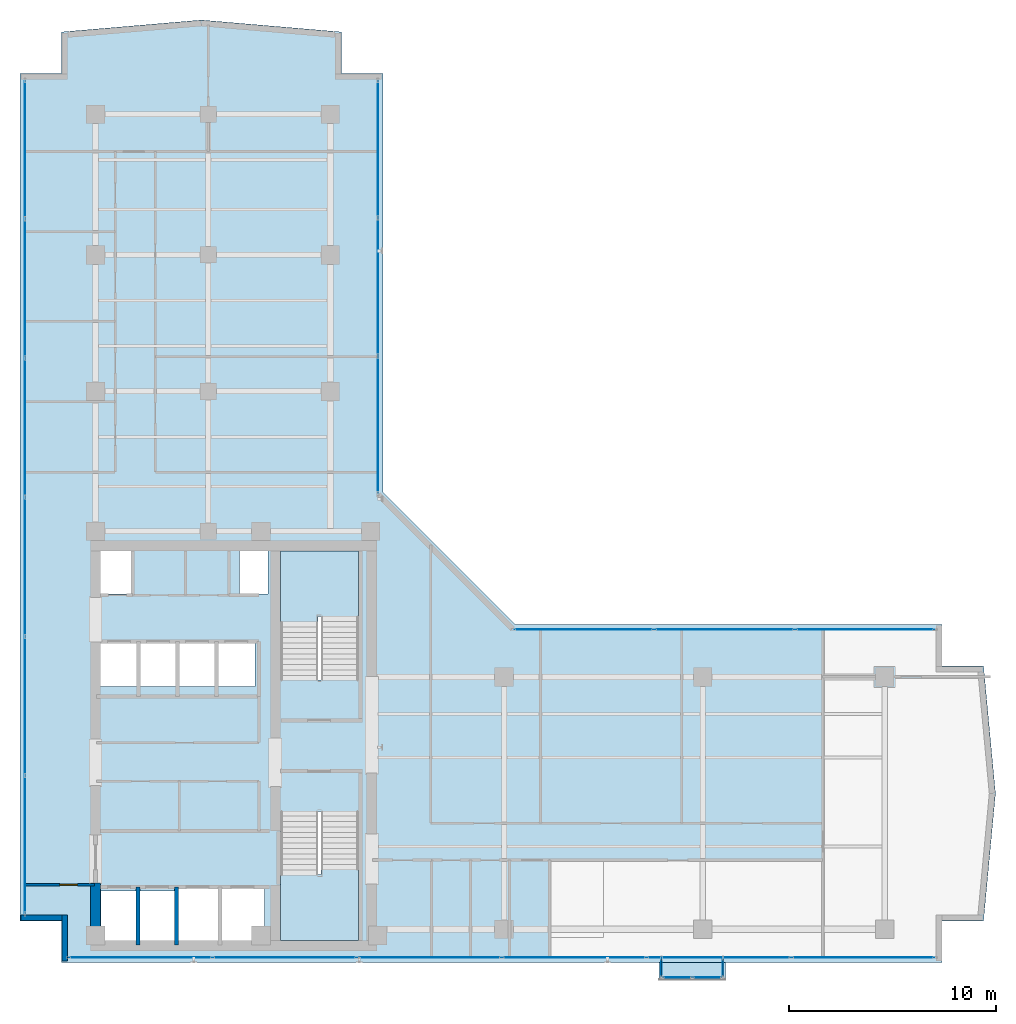
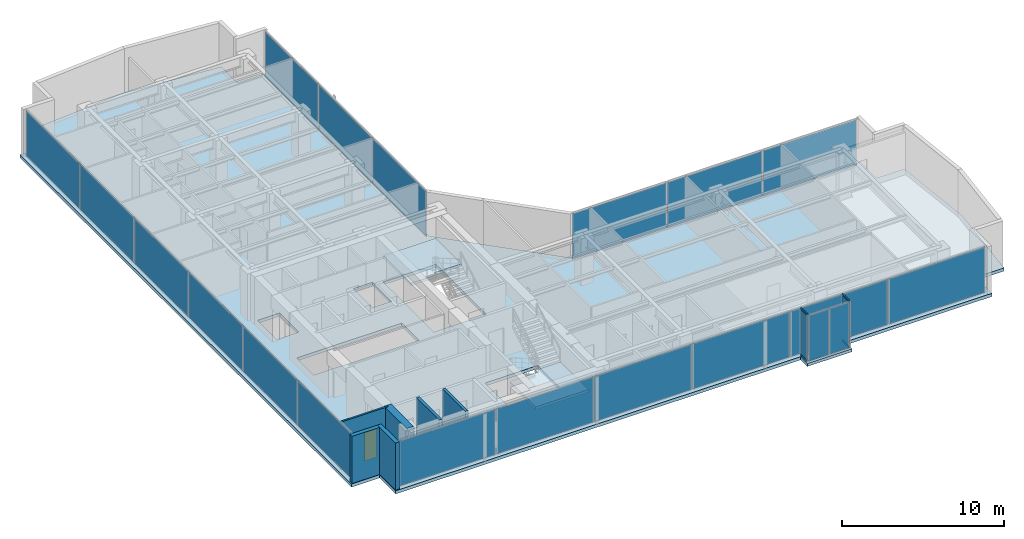
# One storey, part 16 of 24: 22 plates, 6 walls, 4 members, 4 slabs, 1 door, 1 opening, 9 elements without a shape of their own.
"""IFC4 building model written with IfcOpenShell, lengths in metres."""

import ifcopenshell
import ifcopenshell.guid

model = None  # the IFC model being written
_history = None  # IfcOwnerHistory: only IFC2X3 demands one
_inside = {}  # id of a spatial element -> (the spatial element, [elements in it])
_under = {}  # id of a project, library or spatial element -> (it, [spatial elements below it])
_declared = {}  # id of a project -> (the project, [libraries it declares])
_typed = {}  # id of a type object -> (the type object, [elements of that type])
_made_of = {}  # id of a material, layer set ... -> (it, [elements and type objects made of it])


def new_model(schema):
    """Start an empty IFC model of exactly this schema.

    Asked for "IFC4X3", IfcOpenShell would pick the latest addendum, in which some entities
    have other attributes; the version numbers below select the first issue.
    IFC2X3 requires an IfcOwnerHistory on every rooted entity: one is made here for all.
    """
    global model, _history
    if schema == "IFC4X3":
        model = ifcopenshell.file(schema_version=(4, 3, 0, 0))
    else:
        model = ifcopenshell.file(schema=schema)
    _inside.clear()
    _under.clear()
    _declared.clear()
    _typed.clear()
    _made_of.clear()
    _history = None
    if model.schema == "IFC2X3":
        org = make("IfcOrganization", Name="unknown")
        user = make(
            "IfcPersonAndOrganization",
            ThePerson=make("IfcPerson", FamilyName="unknown"),
            TheOrganization=org,
        )
        app = make(
            "IfcApplication",
            ApplicationDeveloper=org,
            Version="unknown",
            ApplicationFullName="unknown",
            ApplicationIdentifier="unknown",
        )
        _history = make(
            "IfcOwnerHistory",
            OwningUser=user,
            OwningApplication=app,
            ChangeAction="ADDED",
            CreationDate=0,
        )
    return model


def make(cls, **values):
    """One entity of the class cls with the attributes given. An attribute that is None is left unset."""
    return model.create_entity(
        cls, **{name: value for name, value in values.items() if value is not None}
    )


def rooted(cls, **values):
    """An entity with a GlobalId (a new one), such as an element, a storey or a relation."""
    return make(cls, GlobalId=ifcopenshell.guid.new(), OwnerHistory=_history, **values)


def si_unit(unit_type, name, prefix=None):
    """IfcSIUnit, for example si_unit("LENGTHUNIT", "METRE", prefix="MILLI")."""
    return make("IfcSIUnit", UnitType=unit_type, Prefix=prefix, Name=name)


def assignment(units):
    """IfcUnitAssignment: the units of a project."""
    return None if units is None else make("IfcUnitAssignment", Units=units)


def point(xyz):
    """IfcCartesianPoint."""
    return None if xyz is None else make("IfcCartesianPoint", Coordinates=xyz)


def direction(xyz):
    """IfcDirection."""
    return None if xyz is None else make("IfcDirection", DirectionRatios=xyz)


def frame(location, z_axis=None, x_axis=None):
    """IfcAxis2Placement3D, a coordinate frame: its origin and axes. An axis left out is left unset."""
    return make(
        "IfcAxis2Placement3D",
        Location=point(location),
        Axis=direction(z_axis),
        RefDirection=direction(x_axis),
    )


def frame_2d(location, x_axis=None):
    """IfcAxis2Placement2D, a coordinate frame in the plane: its origin and x axis."""
    return make(
        "IfcAxis2Placement2D", Location=point(location), RefDirection=direction(x_axis)
    )


def origin():
    """The frame at (0, 0, 0) with its axes left unset."""
    return frame((0.0, 0.0, 0.0))


def origin_with_axes():
    """The frame at (0, 0, 0) with the z axis (0, 0, 1) and the x axis (1, 0, 0) written out."""
    return frame((0.0, 0.0, 0.0), z_axis=(0.0, 0.0, 1.0), x_axis=(1.0, 0.0, 0.0))


def origin_2d():
    """The frame at (0, 0) in the plane with its x axis left unset."""
    return frame_2d((0.0, 0.0))


def place(relative_to, where):
    """IfcLocalPlacement: puts the frame where relative to a parent placement (None: the world)."""
    return make(
        "IfcLocalPlacement", PlacementRelTo=relative_to, RelativePlacement=where
    )


def context(
    kind, dimensions, precision=None, world=None, true_north=None, identifier=None
):
    """IfcGeometricRepresentationContext, for example the 3D "Model" context."""
    return make(
        "IfcGeometricRepresentationContext",
        ContextIdentifier=identifier,
        ContextType=kind,
        CoordinateSpaceDimension=dimensions,
        Precision=precision,
        WorldCoordinateSystem=world,
        TrueNorth=true_north,
    )


def subcontext(parent, identifier, kind, view, scale=None):
    """IfcGeometricRepresentationSubContext, for example "Body" below "Model"."""
    return make(
        "IfcGeometricRepresentationSubContext",
        ContextIdentifier=identifier,
        ContextType=kind,
        ParentContext=parent,
        TargetScale=scale,
        TargetView=view,
    )


def project(units=None, contexts=None):
    """IfcProject with its units and contexts."""
    return rooted(
        "IfcProject",
        Name="project",
        RepresentationContexts=contexts,
        UnitsInContext=assignment(units),
    )


def spatial(cls, under=None, at=None, **own):
    """A site, building, storey or space (cls), placed at a placement, below another one or the project."""
    s = rooted(cls, ObjectPlacement=at, **own)
    if under is not None:
        _under.setdefault(under.id(), (under, []))[1].append(s)
    return s


def polyline(points):
    """IfcPolyline through the points."""
    return make("IfcPolyline", Points=[point(p) for p in points])


def profile(cls, at=None, kind="AREA", **sizes):
    """A parametric profile (cls). Its sizes go by their IFC names, for example OverallWidth=200.0."""
    return make(cls, ProfileType=kind, Position=at, **sizes)


def rectangle(**sizes):
    """IfcRectangleProfileDef."""
    return profile("IfcRectangleProfileDef", **sizes)


def hollow_rectangle(**sizes):
    """IfcRectangleHollowProfileDef."""
    return profile("IfcRectangleHollowProfileDef", **sizes)


def outline(outer, holes=None, kind="AREA"):
    """IfcArbitraryClosedProfileDef: a profile drawn as a closed curve; with holes, ...WithVoids."""
    if holes is None:
        return make("IfcArbitraryClosedProfileDef", ProfileType=kind, OuterCurve=outer)
    return make(
        "IfcArbitraryProfileDefWithVoids",
        ProfileType=kind,
        OuterCurve=outer,
        InnerCurves=holes,
    )


def extrude(swept, where, along, depth):
    """IfcExtrudedAreaSolid: the profile swept, set in the frame where, extruded along a direction by depth."""
    return make(
        "IfcExtrudedAreaSolid",
        SweptArea=swept,
        Position=where,
        ExtrudedDirection=direction(along),
        Depth=depth,
    )


def shape(context_of_items, identifier, shape_type, items):
    """IfcShapeRepresentation: the items that make up one representation, for example the "Body"."""
    return make(
        "IfcShapeRepresentation",
        ContextOfItems=context_of_items,
        RepresentationIdentifier=identifier,
        RepresentationType=shape_type,
        Items=items,
    )


def source(mapping_origin, context_of_items, identifier, shape_type, items):
    """IfcRepresentationMap: a shape defined once, which mapped items show again and again."""
    return make(
        "IfcRepresentationMap",
        MappingOrigin=mapping_origin,
        MappedRepresentation=shape(context_of_items, identifier, shape_type, items),
    )


def transform(
    local_origin,
    x_axis=None,
    y_axis=None,
    z_axis=None,
    scale=None,
    scale2=None,
    scale3=None,
    uniform=True,
):
    """IfcCartesianTransformationOperator3D, or its non-uniform kind. x_axis, y_axis, z_axis: its Axis1, 2, 3."""
    if uniform:
        return make(
            "IfcCartesianTransformationOperator3D",
            Axis1=direction(x_axis),
            Axis2=direction(y_axis),
            LocalOrigin=point(local_origin),
            Scale=scale,
            Axis3=direction(z_axis),
        )
    return make(
        "IfcCartesianTransformationOperator3DnonUniform",
        Axis1=direction(x_axis),
        Axis2=direction(y_axis),
        LocalOrigin=point(local_origin),
        Scale=scale,
        Axis3=direction(z_axis),
        Scale2=scale2,
        Scale3=scale3,
    )


def mapped(mapping_source, mapping_target):
    """IfcMappedItem: shows the shape of a source again, moved by a transform."""
    return make(
        "IfcMappedItem", MappingSource=mapping_source, MappingTarget=mapping_target
    )


def material(Name=None, Category=None):
    """IfcMaterial."""
    return make("IfcMaterial", Name=Name, Category=Category)


def layer(
    of_material, thickness, ventilated=None, Name=None, Category=None, Priority=None
):
    """IfcMaterialLayer: one layer of a wall or slab, of a material (None: an air gap)."""
    return make(
        "IfcMaterialLayer",
        Material=of_material,
        LayerThickness=thickness,
        IsVentilated=ventilated,
        Name=Name,
        Category=Category,
        Priority=Priority,
    )


def layer_set(layers, Name=None):
    """IfcMaterialLayerSet."""
    return make("IfcMaterialLayerSet", MaterialLayers=layers, LayerSetName=Name)


def material_profile(
    of_material, cross_section, Name=None, Category=None, Priority=None
):
    """IfcMaterialProfile: a cross section and its material."""
    return make(
        "IfcMaterialProfile",
        Name=Name,
        Material=of_material,
        Profile=cross_section,
        Priority=Priority,
        Category=Category,
    )


def profile_set(profiles, Name=None, composite=None):
    """IfcMaterialProfileSet."""
    return make(
        "IfcMaterialProfileSet",
        Name=Name,
        MaterialProfiles=profiles,
        CompositeProfile=composite,
    )


def made_of(thing, what):
    """Note that an element or type object is made of a material, layer set ...; save() writes the relation."""
    if what is not None:
        _made_of.setdefault(what.id(), (what, []))[1].append(thing)
    return thing


def type_object(cls, material=None, **own):
    """A type object (cls), such as IfcWallType, which elements share."""
    return made_of(rooted(cls, **own), material)


def element(
    cls,
    number,
    at=None,
    inside=None,
    cuts=None,
    type_object=None,
    material=None,
    context=None,
    identifier="Body",
    shape_type=None,
    held_by="IfcProductDefinitionShape",
    body=None,
    shapes=None,
    **own,
):
    """One element of the class cls, such as IfcWall. Its Tag is "e" and its number.

    at: its placement. inside: the storey or other place that contains it. cuts: it is an
    opening in that element (IfcRelVoidsElement). A single representation is given by context,
    identifier, shape_type and body (its items); several are given by shapes. held_by: the class
    of the entity that holds the representations. save() writes the other relations.
    """
    e = rooted(cls, Tag="e%d" % number, ObjectPlacement=at, **own)
    if body is not None:
        shapes = [shape(context, identifier, shape_type, body)]
    if shapes is not None:
        e.Representation = make(held_by, Representations=shapes)
    if inside is not None:
        _inside.setdefault(inside.id(), (inside, []))[1].append(e)
    if cuts is not None:
        rooted(
            "IfcRelVoidsElement", RelatingBuildingElement=cuts, RelatedOpeningElement=e
        )
    if type_object is not None:
        _typed.setdefault(type_object.id(), (type_object, []))[1].append(e)
    return made_of(e, material)


def fill(opening, filler):
    """IfcRelFillsElement: the door or window that sits in an opening."""
    return rooted(
        "IfcRelFillsElement",
        RelatingOpeningElement=opening,
        RelatedBuildingElement=filler,
    )


def aggregate(whole, parts):
    """IfcRelAggregates: a whole, such as a stair, and the parts it consists of."""
    return rooted("IfcRelAggregates", RelatingObject=whole, RelatedObjects=parts)


def save(model, path):
    """Write the relations noted so far, then the file.

    IfcRelAggregates (storeys below a building ...), IfcRelContainedInSpatialStructure (elements
    in a storey), IfcRelDefinesByType, IfcRelAssociatesMaterial and IfcRelDeclares: one each for
    every whole, place, type object, material and project.
    """
    for whole, parts in _under.values():
        aggregate(whole, parts)
    for where, things in _inside.values():
        rooted(
            "IfcRelContainedInSpatialStructure",
            RelatedElements=things,
            RelatingStructure=where,
        )
    for kind, things in _typed.values():
        rooted("IfcRelDefinesByType", RelatedObjects=things, RelatingType=kind)
    for what, things in _made_of.values():
        rooted("IfcRelAssociatesMaterial", RelatedObjects=things, RelatingMaterial=what)
    for by, libraries in _declared.values():
        rooted("IfcRelDeclares", RelatingContext=by, RelatedDefinitions=libraries)
    model.write(path)


model = new_model("IFC4")

# Units and contexts
model_context = context("Model", 3, precision=1e-05, world=origin(), true_north=direction((0.0, 1.0)))
body_context = subcontext(model_context, "Body", "Model", "MODEL_VIEW")
ifc_project = project(units=[si_unit("LENGTHUNIT", "METRE"), si_unit("AREAUNIT", "SQUARE_METRE"), si_unit("VOLUMEUNIT", "CUBIC_METRE"), si_unit("PLANEANGLEUNIT", "RADIAN"), si_unit("MASSUNIT", "GRAM", prefix="KILO")], contexts=[model_context])

# Site, building, storey
site_placement = place(None, origin())
site = spatial("IfcSite", under=ifc_project, at=site_placement, CompositionType="ELEMENT")
building_placement = place(site_placement, origin())
building = spatial("IfcBuilding", under=site, at=building_placement, Name="Kolvaren Waterfront Exchange", CompositionType="ELEMENT")
storey_placement = place(building_placement, frame((0.0, 0.0, 285.60009765625)))
storey = spatial("IfcBuildingStorey", under=building, at=storey_placement, Name="L73", CompositionType="ELEMENT", Elevation=285.60009765625)

# Curtain wall, members
ifc_material_1 = material(Name="Anodised bronze aluminium 6063-T6", Category="aluminium")
ifc_layer_1 = layer(ifc_material_1, 0.219970703125, Name="Anodised bronze aluminium 6063-T6")
ifc_layer_set_1 = layer_set([ifc_layer_1], Name="Anodised bronze aluminium 6063-T6")
curtain_wall_type_1 = type_object("IfcCurtainWallType", Name="ARC-CW-SYS3", PredefinedType="USERDEFINED", material=ifc_layer_set_1)
curtain_wall_1_placement = place(storey_placement, origin())
curtain_wall_1 = element("IfcCurtainWall", 1, at=curtain_wall_1_placement, inside=storey, type_object=curtain_wall_type_1, Name="L73 stick curtain wall CW3 (CW-L73-BOX-W)", ObjectType="STICK CURTAIN WALL", PredefinedType="USERDEFINED")
ifc_material_profile = material_profile(ifc_material_1, hollow_rectangle(XDim=0.06494140625, YDim=0.1298828125, WallThickness=0.00390625, at=origin_2d()), Name="ALU-TRN-130x65x4")
ifc_profile_set = profile_set([ifc_material_profile], Name="Anodised bronze aluminium 6063-T6")
member_type = type_object("IfcMemberType", Name="ARC-CWT-130", PredefinedType="USERDEFINED", material=ifc_profile_set)
shared_shape_1 = source(origin_with_axes(), body_context, "Body", "SweptSolid", [
    extrude(hollow_rectangle(XDim=0.06494140625, YDim=0.1298828125, WallThickness=0.00390625, at=origin_2d()), origin(), (0.0, 0.0, 1.0), 0.829833984375),
])
member_1_placement = place(storey_placement, frame((34.81005859375, 3.764892578125, 0.032470703125), z_axis=(0.0, -1.0, 0.0), x_axis=(1.0, 0.0, 0.0)))
member_1 = element("IfcMember", 2, at=member_1_placement, type_object=member_type, Name="CW3 transom 1.1", ObjectType="TRANSOM", PredefinedType="USERDEFINED", context=body_context, shape_type="MappedRepresentation", body=[
    mapped(shared_shape_1, transform((0.0, 0.0, 0.0), x_axis=(1.0, 0.0, 0.0), y_axis=(0.0, 1.0, 0.0), z_axis=(0.0, 0.0, 1.0), scale=1.0)),
])
member_2_placement = place(storey_placement, frame((34.81005859375, 3.764892578125, 3.52734375), z_axis=(0.0, -1.0, 0.0), x_axis=(1.0, 0.0, 0.0)))
member_2 = element("IfcMember", 3, at=member_2_placement, type_object=member_type, Name="CW3 transom 1.2", ObjectType="TRANSOM", PredefinedType="USERDEFINED", context=body_context, shape_type="MappedRepresentation", body=[
    mapped(shared_shape_1, transform((0.0, 0.0, 0.0), x_axis=(1.0, 0.0, 0.0), y_axis=(0.0, 1.0, 0.0), z_axis=(0.0, 0.0, 1.0), scale=1.0)),
])

curtain_wall_2_placement = place(storey_placement, origin())
curtain_wall_2 = element("IfcCurtainWall", 4, at=curtain_wall_2_placement, inside=storey, type_object=curtain_wall_type_1, Name="L73 stick curtain wall CW3 (CW-L73-BOX-E)", ObjectType="STICK CURTAIN WALL", PredefinedType="USERDEFINED")
member_3_placement = place(storey_placement, frame((37.7900390625, 2.93505859375, 0.032470703125), z_axis=(0.0, 1.0, 0.0), x_axis=(-1.0, 0.0, 0.0)))
member_3 = element("IfcMember", 5, at=member_3_placement, type_object=member_type, Name="CW3 transom 1.1", ObjectType="TRANSOM", PredefinedType="USERDEFINED", context=body_context, shape_type="MappedRepresentation", body=[
    mapped(shared_shape_1, transform((0.0, 0.0, 0.0), x_axis=(1.0, 0.0, 0.0), y_axis=(0.0, 1.0, 0.0), z_axis=(0.0, 0.0, 1.0), scale=1.0)),
])
member_4_placement = place(storey_placement, frame((37.7900390625, 2.93505859375, 3.52734375), z_axis=(0.0, 1.0, 0.0), x_axis=(-1.0, 0.0, 0.0)))
member_4 = element("IfcMember", 6, at=member_4_placement, type_object=member_type, Name="CW3 transom 1.2", ObjectType="TRANSOM", PredefinedType="USERDEFINED", context=body_context, shape_type="MappedRepresentation", body=[
    mapped(shared_shape_1, transform((0.0, 0.0, 0.0), x_axis=(1.0, 0.0, 0.0), y_axis=(0.0, 1.0, 0.0), z_axis=(0.0, 0.0, 1.0), scale=1.0)),
])

# Stair, slab
ifc_material_2 = material(Name="Concrete C40/50", Category="concrete")
stair_type = type_object("IfcStairType", Name="ARC-STAIR-3800", PredefinedType="HALF_TURN_STAIR", material=ifc_material_2)
stair_1_placement = place(storey_placement, origin())
stair_1 = element("IfcStair", 7, at=stair_1_placement, inside=storey, type_object=stair_type, Name="L73 Smoke-proof exit stair ST1", PredefinedType="HALF_TURN_STAIR")
ifc_layer_2 = layer(ifc_material_2, 0.199951171875, Name="Concrete C40/50")
ifc_layer_set_2 = layer_set([ifc_layer_2], Name="Concrete C40/50")
slab_type_1 = type_object("IfcSlabType", Name="STR-LANDING-200", PredefinedType="LANDING", material=ifc_layer_set_2)
slab_1_placement = place(storey_placement, frame((0.0, 0.0, 1.77587890625)))
slab_1 = element("IfcSlab", 8, at=slab_1_placement, type_object=slab_type_1, Name="ST1 landing 1", PredefinedType="LANDING", context=body_context, shape_type="SweptSolid", body=[
    extrude(outline(polyline([(16.39990234375, 7.840087890625), (16.39990234375, 4.64990234375), (20.159912109375, 4.64990234375), (20.159912109375, 8.10009765625), (18.360107421875, 8.10009765625), (18.360107421875, 7.840087890625), (16.39990234375, 7.840087890625)])), origin(), (0.0, 0.0, 1.0), 0.199951171875),
])
aggregate(stair_1, [slab_1])

stair_2_placement = place(storey_placement, origin())
stair_2 = element("IfcStair", 9, at=stair_2_placement, inside=storey, type_object=stair_type, Name="L73 Smoke-proof exit stair ST2", PredefinedType="HALF_TURN_STAIR")
slab_2_placement = place(storey_placement, frame((0.0, 0.0, 1.77587890625)))
slab_2 = element("IfcSlab", 10, at=slab_2_placement, type_object=slab_type_1, Name="ST2 landing 1", PredefinedType="LANDING", context=body_context, shape_type="SweptSolid", body=[
    extrude(outline(polyline([(20.159912109375, 20.31005859375), (20.159912109375, 23.5), (16.39990234375, 23.5), (16.39990234375, 20.050048828125), (18.199951171875, 20.050048828125), (18.199951171875, 20.31005859375), (20.159912109375, 20.31005859375)])), origin(), (0.0, 0.0, 1.0), 0.199951171875),
])
aggregate(stair_2, [slab_2])

# Slabs
ifc_layer_3 = layer(ifc_material_2, 0.239990234375, Name="Concrete C40/50")
ifc_layer_set_3 = layer_set([ifc_layer_3], Name="Concrete C40/50")
slab_type_2 = type_object("IfcSlabType", Name="STR-SLAB-240", PredefinedType="FLOOR", material=ifc_layer_set_3)
slab_3_placement = place(storey_placement, frame((0.0, 0.0, -0.239990234375)))
element("IfcSlab", 11, at=slab_3_placement, inside=storey, type_object=slab_type_2, Name="L73 structural floor slab", PredefinedType="FLOOR", context=body_context, shape_type="SweptSolid", body=[
    extrude(outline(polyline([(5.800048828125, 3.60009765625), (48.37890625, 3.60009765625), (48.37890625, 5.60009765625), (50.37890625, 5.60009765625), (50.957763671875, 11.768310546875), (50.37890625, 17.936767578125), (48.37890625, 17.936767578125), (48.37890625, 19.936767578125), (27.73681640625, 19.936767578125), (21.3369140625, 26.3369140625), (21.3369140625, 46.578857421875), (19.3369140625, 46.578857421875), (19.3369140625, 48.578857421875), (12.568359375, 49.15771484375), (5.800048828125, 48.578857421875), (5.800048828125, 46.578857421875), (3.800048828125, 46.578857421875), (3.800048828125, 5.60009765625), (5.800048828125, 5.60009765625), (5.800048828125, 3.60009765625)]), holes=[polyline([(11.320068359375, 7.260009765625), (15.610107421875, 7.260009765625), (15.610107421875, 4.5400390625), (7.719970703125, 4.5400390625), (7.719970703125, 7.06005859375), (11.320068359375, 7.06005859375), (11.320068359375, 7.260009765625)]), polyline([(20.159912109375, 10.89990234375), (20.159912109375, 4.64990234375), (16.39990234375, 4.64990234375), (16.39990234375, 10.89990234375), (20.159912109375, 10.89990234375)]), polyline([(7.669921875, 19.06005859375), (15.159912109375, 19.06005859375), (15.159912109375, 16.93994140625), (7.669921875, 16.93994140625), (7.669921875, 19.06005859375)]), polyline([(16.39990234375, 17.25), (16.39990234375, 23.5), (20.159912109375, 23.5), (20.159912109375, 17.25), (16.39990234375, 17.25)]), polyline([(7.60009765625, 23.780029296875), (9.179931640625, 23.780029296875), (9.179931640625, 21.419921875), (7.60009765625, 21.419921875), (7.60009765625, 23.780029296875)]), polyline([(14.419921875, 23.780029296875), (15.800048828125, 23.780029296875), (15.800048828125, 21.419921875), (14.419921875, 21.419921875), (14.419921875, 23.780029296875)])]), origin(), (0.0, 0.0, 1.0), 0.239990234375),
])
ifc_layer_4 = layer(ifc_material_2, 0.219970703125, Name="Concrete C40/50")
ifc_layer_set_4 = layer_set([ifc_layer_4], Name="Concrete C40/50")
slab_type_3 = type_object("IfcSlabType", Name="STR-TERR-220", PredefinedType="FLOOR", material=ifc_layer_set_4)
slab_4_placement = place(storey_placement, frame((0.0, 0.0, -0.22021484375)))
element("IfcSlab", 12, at=slab_4_placement, inside=storey, type_object=slab_type_3, Name="L73 projecting bay-box floor strip", PredefinedType="FLOOR", context=body_context, shape_type="SweptSolid", body=[
    extrude(outline(polyline([(34.699951171875, 2.75), (37.89990234375, 2.75), (37.89990234375, 3.60009765625), (34.699951171875, 3.60009765625), (34.699951171875, 2.75)])), origin(), (0.0, 0.0, 1.0), 0.22021484375),
])

# Plate
ifc_material_3 = material(Name="Bronze tinted bay-box vision glass", Category="aluminium")
ifc_layer_5 = layer(ifc_material_3, 0.02392578125, Name="Bronze tinted bay-box vision glass")
ifc_layer_set_5 = layer_set([ifc_layer_5], Name="Bronze tinted bay-box vision glass")
plate_type_1 = type_object("IfcPlateType", Name="ARC-CWP-24", PredefinedType="CURTAIN_PANEL", material=ifc_layer_set_5)
shared_shape_2 = source(origin_with_axes(), body_context, "Body", "SweptSolid", [
    extrude(rectangle(XDim=0.830078125, YDim=0.02392578125, at=origin_2d()), origin(), (0.0, 0.0, 1.0), 3.429931640625),
])
plate_1_placement = place(storey_placement, frame((34.81005859375, 3.35009765625, 0.06494140625), z_axis=(0.0, 0.0, 1.0), x_axis=(0.0, -1.0, 0.0)))
plate_1 = element("IfcPlate", 13, at=plate_1_placement, type_object=plate_type_1, Name="CW3 panel 1.1", PredefinedType="CURTAIN_PANEL", context=body_context, shape_type="MappedRepresentation", body=[
    mapped(shared_shape_2, transform((0.0, 0.0, 0.0), x_axis=(1.0, 0.0, 0.0), y_axis=(0.0, 1.0, 0.0), z_axis=(0.0, 0.0, 1.0), scale=1.0)),
])

aggregate(curtain_wall_1, [member_1, member_2, plate_1])

plate_2_placement = place(storey_placement, frame((37.7900390625, 3.35009765625, 0.06494140625), z_axis=(0.0, 0.0, 1.0), x_axis=(0.0, 1.0, 0.0)))
plate_2 = element("IfcPlate", 14, at=plate_2_placement, type_object=plate_type_1, Name="CW3 panel 1.1", PredefinedType="CURTAIN_PANEL", context=body_context, shape_type="MappedRepresentation", body=[
    mapped(shared_shape_2, transform((0.0, 0.0, 0.0), x_axis=(1.0, 0.0, 0.0), y_axis=(0.0, 1.0, 0.0), z_axis=(0.0, 0.0, 1.0), scale=1.0)),
])

aggregate(curtain_wall_2, [member_3, member_4, plate_2])

# Curtain wall, plates
curtain_wall_3_placement = place(storey_placement, origin())
curtain_wall_3 = element("IfcCurtainWall", 15, at=curtain_wall_3_placement, inside=storey, type_object=curtain_wall_type_1, Name="L73 stick curtain wall CW3 (CW-L73-BOX)", ObjectType="STICK CURTAIN WALL", PredefinedType="USERDEFINED")
shared_shape_3 = source(origin_with_axes(), body_context, "Body", "SweptSolid", [
    extrude(rectangle(XDim=1.37744140625, YDim=0.02392578125, at=origin_2d()), origin(), (0.0, 0.0, 1.0), 3.429931640625),
])
plate_3_placement = place(storey_placement, frame((35.57373046875, 2.860107421875, 0.06494140625), z_axis=(0.0, 0.0, 1.0), x_axis=(1.0, 0.0, 0.0)))
plate_3 = element("IfcPlate", 16, at=plate_3_placement, type_object=plate_type_1, Name="CW3 panel 1.1", PredefinedType="CURTAIN_PANEL", context=body_context, shape_type="MappedRepresentation", body=[
    mapped(shared_shape_3, transform((0.0, 0.0, 0.0), x_axis=(1.0, 0.0, 0.0), y_axis=(0.0, 1.0, 0.0), z_axis=(0.0, 0.0, 1.0), scale=1.0)),
])
plate_4_placement = place(storey_placement, frame((37.0263671875, 2.860107421875, 0.06494140625), z_axis=(0.0, 0.0, 1.0), x_axis=(1.0, 0.0, 0.0)))
plate_4 = element("IfcPlate", 17, at=plate_4_placement, type_object=plate_type_1, Name="CW3 panel 2.1", PredefinedType="CURTAIN_PANEL", context=body_context, shape_type="MappedRepresentation", body=[
    mapped(shared_shape_3, transform((0.0, 0.0, 0.0), x_axis=(1.0, 0.0, 0.0), y_axis=(0.0, 1.0, 0.0), z_axis=(0.0, 0.0, 1.0), scale=1.0)),
])
aggregate(curtain_wall_3, [plate_3, plate_4])

ifc_layer_6 = layer(ifc_material_1, 0.219970703125, Name="Anodised bronze aluminium 6063-T6")
ifc_layer_set_6 = layer_set([ifc_layer_6], Name="Anodised bronze aluminium 6063-T6")
curtain_wall_type_2 = type_object("IfcCurtainWallType", Name="ARC-CW-SYS1", PredefinedType="USERDEFINED", material=ifc_layer_set_6)
curtain_wall_4_placement = place(storey_placement, origin())
curtain_wall_4 = element("IfcCurtainWall", 18, at=curtain_wall_4_placement, inside=storey, type_object=curtain_wall_type_2, Name="L73 stick curtain wall CW1 (CW-L73-S)", ObjectType="STICK CURTAIN WALL", PredefinedType="USERDEFINED")
ifc_material_4 = material(Name="Bronze solar control vision glass", Category="aluminium")
ifc_layer_7 = layer(ifc_material_4, 0.028076171875, Name="Bronze solar control vision glass")
ifc_layer_set_7 = layer_set([ifc_layer_7], Name="Bronze solar control vision glass")
plate_type_2 = type_object("IfcPlateType", Name="ARC-CWP-28", PredefinedType="CURTAIN_PANEL", material=ifc_layer_set_7)
shared_shape_4 = source(origin_with_axes(), body_context, "Body", "SweptSolid", [
    extrude(rectangle(XDim=6.87646484375, YDim=0.028076171875, at=origin_2d()), origin(), (0.0, 0.0, 1.0), 3.409912109375),
])
plate_5_placement = place(storey_placement, frame((9.6181640625, 3.840087890625, 0.07470703125), z_axis=(0.0, 0.0, 1.0), x_axis=(1.0, 0.0, 0.0)))
plate_5 = element("IfcPlate", 19, at=plate_5_placement, type_object=plate_type_2, Name="CW1 panel 1.1", PredefinedType="CURTAIN_PANEL", context=body_context, shape_type="MappedRepresentation", body=[
    mapped(shared_shape_4, transform((0.0, 0.0, 0.0), x_axis=(1.0, 0.0, 0.0), y_axis=(0.0, 1.0, 0.0), z_axis=(0.0, 0.0, 1.0), scale=1.0)),
])
plate_6_placement = place(storey_placement, frame((44.560546875, 3.840087890625, 0.07470703125), z_axis=(0.0, 0.0, 1.0), x_axis=(1.0, 0.0, 0.0)))
plate_6 = element("IfcPlate", 20, at=plate_6_placement, type_object=plate_type_2, Name="CW1 panel 6.1", PredefinedType="CURTAIN_PANEL", context=body_context, shape_type="MappedRepresentation", body=[
    mapped(shared_shape_4, transform((0.0, 0.0, 0.0), x_axis=(1.0, 0.0, 0.0), y_axis=(0.0, 1.0, 0.0), z_axis=(0.0, 0.0, 1.0), scale=1.0)),
])
shared_shape_5 = source(origin_with_axes(), body_context, "Body", "SweptSolid", [
    extrude(rectangle(XDim=6.91650390625, YDim=0.028076171875, at=origin_2d()), origin(), (0.0, 0.0, 1.0), 3.409912109375),
])
plate_7_placement = place(storey_placement, frame((16.5947265625, 3.840087890625, 0.07470703125), z_axis=(0.0, 0.0, 1.0), x_axis=(1.0, 0.0, 0.0)))
plate_7 = element("IfcPlate", 21, at=plate_7_placement, type_object=plate_type_2, Name="CW1 panel 2.1", PredefinedType="CURTAIN_PANEL", context=body_context, shape_type="MappedRepresentation", body=[
    mapped(shared_shape_5, transform((0.0, 0.0, 0.0), x_axis=(1.0, 0.0, 0.0), y_axis=(0.0, 1.0, 0.0), z_axis=(0.0, 0.0, 1.0), scale=1.0)),
])
plate_8_placement = place(storey_placement, frame((23.59130859375, 3.840087890625, 0.07470703125), z_axis=(0.0, 0.0, 1.0), x_axis=(1.0, 0.0, 0.0)))
plate_8 = element("IfcPlate", 22, at=plate_8_placement, type_object=plate_type_2, Name="CW1 panel 3.1", PredefinedType="CURTAIN_PANEL", context=body_context, shape_type="MappedRepresentation", body=[
    mapped(shared_shape_5, transform((0.0, 0.0, 0.0), x_axis=(1.0, 0.0, 0.0), y_axis=(0.0, 1.0, 0.0), z_axis=(0.0, 0.0, 1.0), scale=1.0)),
])
plate_9_placement = place(storey_placement, frame((30.587646484375, 3.840087890625, 0.07470703125), z_axis=(0.0, 0.0, 1.0), x_axis=(1.0, 0.0, 0.0)))
plate_9 = element("IfcPlate", 23, at=plate_9_placement, type_object=plate_type_2, Name="CW1 panel 4.1", PredefinedType="CURTAIN_PANEL", context=body_context, shape_type="MappedRepresentation", body=[
    mapped(shared_shape_5, transform((0.0, 0.0, 0.0), x_axis=(1.0, 0.0, 0.0), y_axis=(0.0, 1.0, 0.0), z_axis=(0.0, 0.0, 1.0), scale=1.0)),
])
plate_10_placement = place(storey_placement, frame((37.584228515625, 3.840087890625, 0.07470703125), z_axis=(0.0, 0.0, 1.0), x_axis=(1.0, 0.0, 0.0)))
plate_10 = element("IfcPlate", 24, at=plate_10_placement, type_object=plate_type_2, Name="CW1 panel 5.1", PredefinedType="CURTAIN_PANEL", context=body_context, shape_type="MappedRepresentation", body=[
    mapped(shared_shape_5, transform((0.0, 0.0, 0.0), x_axis=(1.0, 0.0, 0.0), y_axis=(0.0, 1.0, 0.0), z_axis=(0.0, 0.0, 1.0), scale=1.0)),
])
aggregate(curtain_wall_4, [plate_5, plate_7, plate_8, plate_9, plate_10, plate_6])

ifc_material_5 = material(Name="Anodised aluminium 6063-T6", Category="aluminium")
ifc_layer_8 = layer(ifc_material_5, 0.219970703125, Name="Anodised aluminium 6063-T6")
ifc_layer_set_8 = layer_set([ifc_layer_8], Name="Anodised aluminium 6063-T6")
curtain_wall_type_3 = type_object("IfcCurtainWallType", Name="ARC-CW-SYS2", PredefinedType="USERDEFINED", material=ifc_layer_set_8)
curtain_wall_5_placement = place(storey_placement, origin())
curtain_wall_5 = element("IfcCurtainWall", 25, at=curtain_wall_5_placement, inside=storey, type_object=curtain_wall_type_3, Name="L73 stick curtain wall CW2 (CW-L73-W)", ObjectType="STICK CURTAIN WALL", PredefinedType="USERDEFINED")
ifc_material_6 = material(Name="Acoustic laminated vision glass", Category="glass")
ifc_layer_9 = layer(ifc_material_6, 0.031982421875, Name="Acoustic laminated vision glass")
ifc_layer_set_9 = layer_set([ifc_layer_9], Name="Acoustic laminated vision glass")
plate_type_3 = type_object("IfcPlateType", Name="ARC-CWP-32", PredefinedType="CURTAIN_PANEL", material=ifc_layer_set_9)
shared_shape_6 = source(origin_with_axes(), body_context, "Body", "SweptSolid", [
    extrude(rectangle(XDim=6.60986328125, YDim=0.031982421875, at=origin_2d()), origin(), (0.0, 0.0, 1.0), 3.409912109375),
])
plate_11_placement = place(storey_placement, frame((4.0400390625, 9.284912109375, 0.07470703125), z_axis=(0.0, 0.0, 1.0), x_axis=(0.0, 1.0, 0.0)))
plate_11 = element("IfcPlate", 26, at=plate_11_placement, type_object=plate_type_3, Name="CW2 panel 1.1", PredefinedType="CURTAIN_PANEL", context=body_context, shape_type="MappedRepresentation", body=[
    mapped(shared_shape_6, transform((0.0, 0.0, 0.0), x_axis=(1.0, 0.0, 0.0), y_axis=(0.0, 1.0, 0.0), z_axis=(0.0, 0.0, 1.0), scale=1.0)),
])
plate_12_placement = place(storey_placement, frame((4.0400390625, 42.89404296875, 0.07470703125), z_axis=(0.0, 0.0, 1.0), x_axis=(0.0, 1.0, 0.0)))
plate_12 = element("IfcPlate", 27, at=plate_12_placement, type_object=plate_type_3, Name="CW2 panel 6.1", PredefinedType="CURTAIN_PANEL", context=body_context, shape_type="MappedRepresentation", body=[
    mapped(shared_shape_6, transform((0.0, 0.0, 0.0), x_axis=(1.0, 0.0, 0.0), y_axis=(0.0, 1.0, 0.0), z_axis=(0.0, 0.0, 1.0), scale=1.0)),
])
shared_shape_7 = source(origin_with_axes(), body_context, "Body", "SweptSolid", [
    extrude(rectangle(XDim=6.64990234375, YDim=0.031982421875, at=origin_2d()), origin(), (0.0, 0.0, 1.0), 3.409912109375),
])
plate_13_placement = place(storey_placement, frame((4.0400390625, 15.99462890625, 0.07470703125), z_axis=(0.0, 0.0, 1.0), x_axis=(0.0, 1.0, 0.0)))
plate_13 = element("IfcPlate", 28, at=plate_13_placement, type_object=plate_type_3, Name="CW2 panel 2.1", PredefinedType="CURTAIN_PANEL", context=body_context, shape_type="MappedRepresentation", body=[
    mapped(shared_shape_7, transform((0.0, 0.0, 0.0), x_axis=(1.0, 0.0, 0.0), y_axis=(0.0, 1.0, 0.0), z_axis=(0.0, 0.0, 1.0), scale=1.0)),
])
plate_14_placement = place(storey_placement, frame((4.0400390625, 22.724609375, 0.07470703125), z_axis=(0.0, 0.0, 1.0), x_axis=(0.0, 1.0, 0.0)))
plate_14 = element("IfcPlate", 29, at=plate_14_placement, type_object=plate_type_3, Name="CW2 panel 3.1", PredefinedType="CURTAIN_PANEL", context=body_context, shape_type="MappedRepresentation", body=[
    mapped(shared_shape_7, transform((0.0, 0.0, 0.0), x_axis=(1.0, 0.0, 0.0), y_axis=(0.0, 1.0, 0.0), z_axis=(0.0, 0.0, 1.0), scale=1.0)),
])
plate_15_placement = place(storey_placement, frame((4.0400390625, 29.454345703125, 0.07470703125), z_axis=(0.0, 0.0, 1.0), x_axis=(0.0, 1.0, 0.0)))
plate_15 = element("IfcPlate", 30, at=plate_15_placement, type_object=plate_type_3, Name="CW2 panel 4.1", PredefinedType="CURTAIN_PANEL", context=body_context, shape_type="MappedRepresentation", body=[
    mapped(shared_shape_7, transform((0.0, 0.0, 0.0), x_axis=(1.0, 0.0, 0.0), y_axis=(0.0, 1.0, 0.0), z_axis=(0.0, 0.0, 1.0), scale=1.0)),
])
plate_16_placement = place(storey_placement, frame((4.0400390625, 36.18408203125, 0.07470703125), z_axis=(0.0, 0.0, 1.0), x_axis=(0.0, 1.0, 0.0)))
plate_16 = element("IfcPlate", 31, at=plate_16_placement, type_object=plate_type_3, Name="CW2 panel 5.1", PredefinedType="CURTAIN_PANEL", context=body_context, shape_type="MappedRepresentation", body=[
    mapped(shared_shape_7, transform((0.0, 0.0, 0.0), x_axis=(1.0, 0.0, 0.0), y_axis=(0.0, 1.0, 0.0), z_axis=(0.0, 0.0, 1.0), scale=1.0)),
])
aggregate(curtain_wall_5, [plate_11, plate_13, plate_14, plate_15, plate_16, plate_12])

curtain_wall_6_placement = place(storey_placement, origin())
curtain_wall_6 = element("IfcCurtainWall", 32, at=curtain_wall_6_placement, inside=storey, type_object=curtain_wall_type_2, Name="L73 stick curtain wall CW1 (CW-L73-NE)", ObjectType="STICK CURTAIN WALL", PredefinedType="USERDEFINED")
shared_shape_8 = source(origin_with_axes(), body_context, "Body", "SweptSolid", [
    extrude(rectangle(XDim=6.56396484375, YDim=0.028076171875, at=origin_2d()), origin(), (0.0, 0.0, 1.0), 3.409912109375),
])
plate_17_placement = place(storey_placement, frame((21.0966796875, 29.5888671875, 0.07470703125), z_axis=(0.0, 0.0, 1.0), x_axis=(0.0, 1.0, 0.0)))
plate_17 = element("IfcPlate", 33, at=plate_17_placement, type_object=plate_type_2, Name="CW1 panel 1.1", PredefinedType="CURTAIN_PANEL", context=body_context, shape_type="MappedRepresentation", body=[
    mapped(shared_shape_8, transform((0.0, 0.0, 0.0), x_axis=(1.0, 0.0, 0.0), y_axis=(0.0, 1.0, 0.0), z_axis=(0.0, 0.0, 1.0), scale=1.0)),
])
plate_18_placement = place(storey_placement, frame((21.0966796875, 42.9169921875, 0.07470703125), z_axis=(0.0, 0.0, 1.0), x_axis=(0.0, 1.0, 0.0)))
plate_18 = element("IfcPlate", 34, at=plate_18_placement, type_object=plate_type_2, Name="CW1 panel 3.1", PredefinedType="CURTAIN_PANEL", context=body_context, shape_type="MappedRepresentation", body=[
    mapped(shared_shape_8, transform((0.0, 0.0, 0.0), x_axis=(1.0, 0.0, 0.0), y_axis=(0.0, 1.0, 0.0), z_axis=(0.0, 0.0, 1.0), scale=1.0)),
])
shared_shape_9 = source(origin_with_axes(), body_context, "Body", "SweptSolid", [
    extrude(rectangle(XDim=6.60400390625, YDim=0.028076171875, at=origin_2d()), origin(), (0.0, 0.0, 1.0), 3.409912109375),
])
plate_19_placement = place(storey_placement, frame((21.0966796875, 36.2529296875, 0.07470703125), z_axis=(0.0, 0.0, 1.0), x_axis=(0.0, 1.0, 0.0)))
plate_19 = element("IfcPlate", 35, at=plate_19_placement, type_object=plate_type_2, Name="CW1 panel 2.1", PredefinedType="CURTAIN_PANEL", context=body_context, shape_type="MappedRepresentation", body=[
    mapped(shared_shape_9, transform((0.0, 0.0, 0.0), x_axis=(1.0, 0.0, 0.0), y_axis=(0.0, 1.0, 0.0), z_axis=(0.0, 0.0, 1.0), scale=1.0)),
])
aggregate(curtain_wall_6, [plate_17, plate_19, plate_18])

curtain_wall_7_placement = place(storey_placement, origin())
curtain_wall_7 = element("IfcCurtainWall", 36, at=curtain_wall_7_placement, inside=storey, type_object=curtain_wall_type_2, Name="L73 stick curtain wall CW1 (CW-L73-EN)", ObjectType="STICK CURTAIN WALL", PredefinedType="USERDEFINED")
shared_shape_10 = source(origin_with_axes(), body_context, "Body", "SweptSolid", [
    extrude(rectangle(XDim=6.697265625, YDim=0.028076171875, at=origin_2d()), origin(), (0.0, 0.0, 1.0), 3.409912109375),
])
plate_20_placement = place(storey_placement, frame((31.055419921875, 19.69677734375, 0.07470703125), z_axis=(0.0, 0.0, 1.0), x_axis=(1.0, 0.0, 0.0)))
plate_20 = element("IfcPlate", 37, at=plate_20_placement, type_object=plate_type_2, Name="CW1 panel 1.1", PredefinedType="CURTAIN_PANEL", context=body_context, shape_type="MappedRepresentation", body=[
    mapped(shared_shape_10, transform((0.0, 0.0, 0.0), x_axis=(1.0, 0.0, 0.0), y_axis=(0.0, 1.0, 0.0), z_axis=(0.0, 0.0, 1.0), scale=1.0)),
])
plate_21_placement = place(storey_placement, frame((44.650146484375, 19.69677734375, 0.07470703125), z_axis=(0.0, 0.0, 1.0), x_axis=(1.0, 0.0, 0.0)))
plate_21 = element("IfcPlate", 38, at=plate_21_placement, type_object=plate_type_2, Name="CW1 panel 3.1", PredefinedType="CURTAIN_PANEL", context=body_context, shape_type="MappedRepresentation", body=[
    mapped(shared_shape_10, transform((0.0, 0.0, 0.0), x_axis=(1.0, 0.0, 0.0), y_axis=(0.0, 1.0, 0.0), z_axis=(0.0, 0.0, 1.0), scale=1.0)),
])
shared_shape_11 = source(origin_with_axes(), body_context, "Body", "SweptSolid", [
    extrude(rectangle(XDim=6.7373046875, YDim=0.028076171875, at=origin_2d()), origin(), (0.0, 0.0, 1.0), 3.409912109375),
])
plate_22_placement = place(storey_placement, frame((37.852783203125, 19.69677734375, 0.07470703125), z_axis=(0.0, 0.0, 1.0), x_axis=(1.0, 0.0, 0.0)))
plate_22 = element("IfcPlate", 39, at=plate_22_placement, type_object=plate_type_2, Name="CW1 panel 2.1", PredefinedType="CURTAIN_PANEL", context=body_context, shape_type="MappedRepresentation", body=[
    mapped(shared_shape_11, transform((0.0, 0.0, 0.0), x_axis=(1.0, 0.0, 0.0), y_axis=(0.0, 1.0, 0.0), z_axis=(0.0, 0.0, 1.0), scale=1.0)),
])
aggregate(curtain_wall_7, [plate_20, plate_22, plate_21])

# Walls
ifc_material_7 = material(Name="Precast concrete C40/50", Category="concrete")
ifc_layer_10 = layer(ifc_material_7, 0.280029296875, Name="Precast concrete C40/50")
ifc_layer_set_10 = layer_set([ifc_layer_10], Name="Precast concrete C40/50")
wall_type_1 = type_object("IfcWallType", Name="ARC-EXT-TERR-280", PredefinedType="SOLIDWALL", material=ifc_layer_set_10)
wall_1_placement = place(storey_placement, frame((5.9599609375, 3.659912109375, 0.0), z_axis=(0.0, 0.0, 1.0), x_axis=(0.0, 1.0, 0.0)))
element("IfcWall", 40, at=wall_1_placement, inside=storey, type_object=wall_type_1, Name="L73 notched corner spandrel pier SW-A", PredefinedType="SOLIDWALL", context=body_context, shape_type="SweptSolid", body=[
    extrude(rectangle(XDim=2.239990234375, YDim=0.280029296875, at=frame_2d((1.1201171875, 0.0))), origin(), (0.0, 0.0, 1.0), 3.559814453125),
])
wall_2_placement = place(storey_placement, frame((3.860107421875, 5.760009765625, 0.0), z_axis=(0.0, 0.0, 1.0), x_axis=(1.0, 0.0, 0.0)))
element("IfcWall", 41, at=wall_2_placement, inside=storey, type_object=wall_type_1, Name="L73 notched corner spandrel pier SW-B", PredefinedType="SOLIDWALL", context=body_context, shape_type="SweptSolid", body=[
    extrude(rectangle(XDim=1.9599609375, YDim=0.280029296875, at=frame_2d((0.97998046875, 0.0))), origin(), (0.0, 0.0, 1.0), 3.559814453125),
])

# Wall, opening, door
ifc_material_8 = material(Name="Acoustic gypsum steel stud", Category="steel")
ifc_layer_11 = layer(ifc_material_8, 0.125, Name="Acoustic gypsum steel stud")
ifc_layer_set_11 = layer_set([ifc_layer_11], Name="Acoustic gypsum steel stud")
wall_type_2 = type_object("IfcWallType", Name="ARC-PART-125", PredefinedType="PARTITIONING", material=ifc_layer_set_11)
wall_3_placement = place(storey_placement, frame((4.0400390625, 7.35009765625, 0.0), z_axis=(0.0, 0.0, 1.0), x_axis=(1.0, 0.0, 0.0)))
wall_3 = element("IfcWall", 42, at=wall_3_placement, inside=storey, type_object=wall_type_2, Name="L73 interior wall PW-L73-SWC-N", PredefinedType="PARTITIONING", context=body_context, shape_type="SweptSolid", body=[
    extrude(rectangle(XDim=3.35986328125, YDim=0.125, at=frame_2d((1.679931640625, 0.0))), origin(), (0.0, 0.0, 1.0), 3.559814453125),
])
opening_placement = place(wall_3_placement, frame((1.686767578125, 0.0, 0.0)))
opening = element("IfcOpeningElement", 43, at=opening_placement, cuts=wall_3, Name="Opening D01", PredefinedType="OPENING", context=body_context, shape_type="SweptSolid", body=[
    extrude(rectangle(XDim=0.85009765625, YDim=2.14990234375, at=frame_2d((0.425048828125, 1.074951171875))), frame((0.0, 0.072509765625, 0.0), z_axis=(0.0, -1.0, 0.0), x_axis=(1.0, 0.0, 0.0)), (0.0, 0.0, 1.0), 0.14501953125),
])
ifc_material_9 = material(Name="Oak veneer timber leaf", Category="wood")
door_type = type_object("IfcDoorType", Name="ARC-DR-900", OperationType="NOTDEFINED", PredefinedType="DOOR", material=ifc_material_9)
door_placement = place(opening_placement, origin())
door = element("IfcDoor", 44, at=door_placement, inside=storey, type_object=door_type, Name="L73 door DR-L73-SWC-D (D01)", OperationType="SINGLE_SWING_LEFT", OverallHeight=2.14990234375, OverallWidth=0.85009765625, PredefinedType="DOOR", context=body_context, shape_type="SweptSolid", body=[
    extrude(rectangle(XDim=0.85009765625, YDim=2.14990234375, at=frame_2d((0.425048828125, 1.074951171875))), frame((0.0, 0.02490234375, 0.0), z_axis=(0.0, -1.0, 0.0), x_axis=(1.0, 0.0, 0.0)), (0.0, 0.0, 1.0), 0.050048828125),
])
fill(opening, door)

# Walls
ifc_layer_12 = layer(ifc_material_2, 0.199951171875, Name="Concrete C40/50")
ifc_layer_set_12 = layer_set([ifc_layer_12], Name="Concrete C40/50")
wall_type_3 = type_object("IfcWallType", Name="ARC-SHAFT-200", PredefinedType="PARTITIONING", material=ifc_layer_set_12)
for number, where, z_axis, x_axis, name in (
    (45, (9.5, 4.449951171875, 0.0), (0.0, 0.0, 1.0), (0.0, 1.0, 0.0), "L73 interior wall PW-L73-SH1-DIV-95"),
    (46, (11.360107421875, 4.449951171875, 0.0), (0.0, 0.0, 1.0), (0.0, 1.0, 0.0), "L73 interior wall PW-L73-SH1-DIV-113"),
):
    element("IfcWall", number, at=place(storey_placement, frame(where, z_axis=z_axis, x_axis=x_axis)), inside=storey, type_object=wall_type_3, Name=name, PredefinedType="PARTITIONING", context=body_context, shape_type="SweptSolid", body=[
        extrude(rectangle(XDim=2.800048828125, YDim=0.199951171875, at=frame_2d((1.39990234375, 0.0))), origin(), (0.0, 0.0, 1.0), 3.559814453125),
    ])
ifc_material_10 = material(Name="Concrete C50/60", Category="concrete")
ifc_layer_13 = layer(ifc_material_10, 0.5, Name="Concrete C50/60")
ifc_layer_set_13 = layer_set([ifc_layer_13], Name="Concrete C50/60")
wall_type_4 = type_object("IfcWallType", Name="STR-CWALL-500", PredefinedType="SHEAR", material=ifc_layer_set_13)
wall_4_placement = place(storey_placement, frame((7.449951171875, 4.64990234375, 0.0), z_axis=(0.0, 0.0, 1.0), x_axis=(0.0, 1.0, 0.0)))
element("IfcWall", 47, at=wall_4_placement, inside=storey, type_object=wall_type_4, Name="L73 rear-core shear wall W1", PredefinedType="SHEAR", context=body_context, shape_type="SweptSolid", body=[
    extrude(rectangle(XDim=2.800048828125, YDim=0.5, at=frame_2d((1.39990234375, 0.0))), origin(), (0.0, 0.0, 1.0), 3.559814453125),
])

save(model, "model.ifc")
